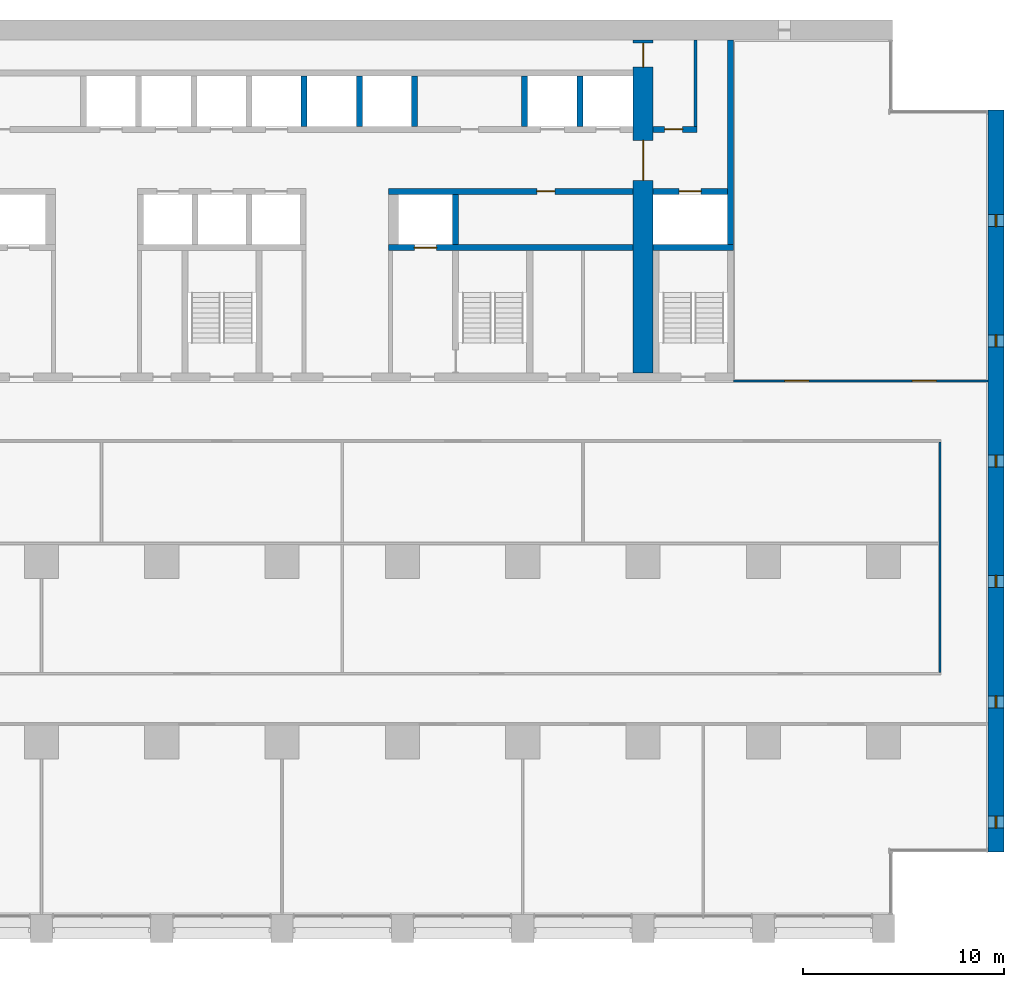
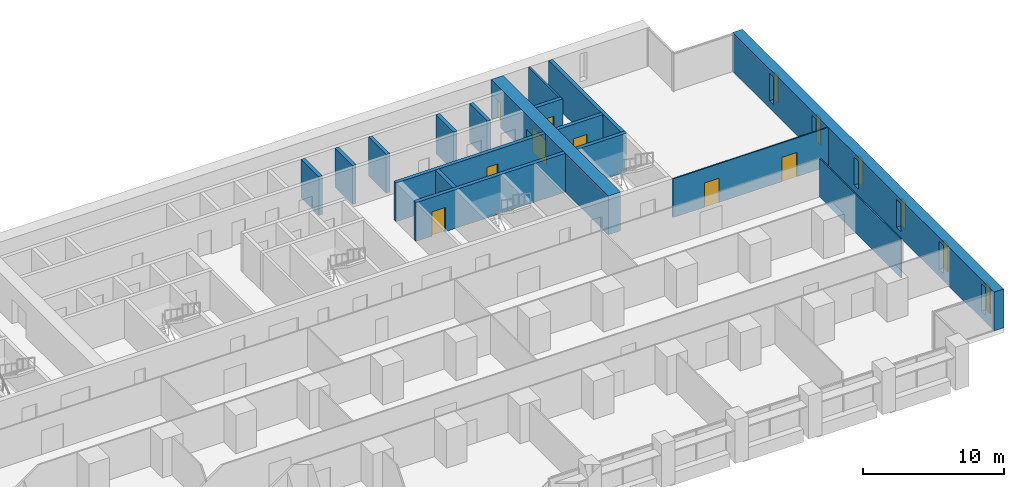
# One storey, part 13 of 18: 17 walls, 8 doors, 6 windows, 14 openings.
"""IFC4 building model written with IfcOpenShell, lengths in metres."""

from ifc_helpers import new_model, si_unit, direction, frame, frame_2d, origin, place, context, subcontext, project, spatial, rectangle, extrude, material, layer, layer_set, type_object, element, fill, save


model = new_model("IFC4")

# Units and contexts
model_context = context("Model", 3, precision=1e-05, world=origin(), true_north=direction((0.0, 1.0)))
body_context = subcontext(model_context, "Body", "Model", "MODEL_VIEW")
ifc_project = project(units=[si_unit("LENGTHUNIT", "METRE"), si_unit("AREAUNIT", "SQUARE_METRE"), si_unit("VOLUMEUNIT", "CUBIC_METRE"), si_unit("PLANEANGLEUNIT", "RADIAN"), si_unit("MASSUNIT", "GRAM", prefix="KILO")], contexts=[model_context])

# Site, building, storey
site_placement = place(None, origin())
site = spatial("IfcSite", under=ifc_project, at=site_placement, CompositionType="ELEMENT")
building_placement = place(site_placement, origin())
building = spatial("IfcBuilding", under=site, at=building_placement, Name="Calvaro Tower", CompositionType="ELEMENT")
storey_placement = place(building_placement, frame((0.0, 0.0, 52.5)))
storey = spatial("IfcBuildingStorey", under=building, at=storey_placement, Name="L12", CompositionType="ELEMENT", Elevation=52.5)

# Wall
ifc_material_1 = material(Name="Blockwork partition", Category="masonry")
ifc_layer_1 = layer(ifc_material_1, 0.14990234375)
ifc_layer_set_1 = layer_set([ifc_layer_1], Name="Blockwork partition")
wall_type_1 = type_object("IfcWallType", Name="Core partition 150 REI 120", PredefinedType="PARTITIONING", material=ifc_layer_set_1)
wall_1_placement = place(storey_placement, frame((62.625, 40.699951171875, 0.0), z_axis=(0.0, 0.0, 1.0), x_axis=(0.0, 1.0, 0.0)))
element("IfcWall", 1, at=wall_1_placement, inside=storey, type_object=wall_type_1, Name="Core partition", PredefinedType="PARTITIONING", context=body_context, shape_type="SweptSolid", body=[
    extrude(rectangle(XDim=4.300048828125, YDim=0.14990234375, at=frame_2d((2.14990234375, 0.0))), origin(), (0.0, 0.0, 1.0), 3.35009765625),
])

# Wall, opening, door
ifc_material_2 = material(Name="Blockwork partition", Category="masonry")
ifc_layer_2 = layer(ifc_material_2, 0.300048828125)
ifc_layer_set_2 = layer_set([ifc_layer_2], Name="Blockwork partition")
wall_type_2 = type_object("IfcWallType", Name="Core partition 300 REI 120", PredefinedType="PARTITIONING", material=ifc_layer_set_2)
wall_2_placement = place(storey_placement, frame((60.5, 40.550048828125, 0.0), z_axis=(0.0, 0.0, 1.0), x_axis=(1.0, 0.0, 0.0)))
wall_2 = element("IfcWall", 2, at=wall_2_placement, inside=storey, type_object=wall_type_2, Name="Core partition", PredefinedType="PARTITIONING", context=body_context, shape_type="SweptSolid", body=[
    extrude(rectangle(XDim=2.199951171875, YDim=0.300048828125, at=frame_2d((1.10009765625, 0.0))), origin(), (0.0, 0.0, 1.0), 3.35009765625),
])
opening_1_placement = place(wall_2_placement, frame((0.574951171875, 0.0, 0.0)))
opening_1 = element("IfcOpeningElement", 3, at=opening_1_placement, cuts=wall_2, Name="Opening RD9E", PredefinedType="OPENING", context=body_context, shape_type="SweptSolid", body=[
    extrude(rectangle(XDim=0.89990234375, YDim=2.10009765625, at=frame_2d((0.449951171875, 1.050048828125))), frame((0.0, 0.159912109375, 0.0), z_axis=(0.0, -1.0, 0.0), x_axis=(1.0, 0.0, 0.0)), (0.0, 0.0, 1.0), 0.320068359375),
])
ifc_material_3 = material(Name="Steel door set", Category="steel")
door_type_1 = type_object("IfcDoorType", Name="Room door 900 FD60", OperationType="SINGLE_SWING_LEFT", PredefinedType="DOOR", material=ifc_material_3)
door_1_placement = place(opening_1_placement, origin())
door_1 = element("IfcDoor", 4, at=door_1_placement, inside=storey, type_object=door_type_1, Name="Room door", OperationType="SINGLE_SWING_LEFT", OverallHeight=2.10009765625, OverallWidth=0.89990234375, PredefinedType="DOOR", context=body_context, shape_type="SweptSolid", body=[
    extrude(rectangle(XDim=0.89990234375, YDim=2.10009765625, at=frame_2d((0.449951171875, 1.050048828125))), frame((0.0, 0.02490234375, 0.0), z_axis=(0.0, -1.0, 0.0), x_axis=(1.0, 0.0, 0.0)), (0.0, 0.0, 1.0), 0.050048828125),
])
fill(opening_1, door_1)

# Wall, openings, doors
ifc_material_4 = material(Name="Concrete C80/95", Category="concrete")
ifc_layer_3 = layer(ifc_material_4, 1.0)
ifc_layer_set_3 = layer_set([ifc_layer_3], Name="Concrete C80/95")
wall_type_3 = type_object("IfcWallType", Name="Core wall C80/95 1000", PredefinedType="SHEAR", material=ifc_layer_set_3)
wall_3_placement = place(storey_placement, frame((60.0, 28.39990234375, 0.0), z_axis=(0.0, 0.0, 1.0), x_axis=(0.0, 1.0, 0.0)))
wall_3 = element("IfcWall", 5, at=wall_3_placement, inside=storey, type_object=wall_type_3, Name="Core wall, cross shear wall", PredefinedType="SHEAR", context=body_context, shape_type="SweptSolid", body=[
    extrude(rectangle(XDim=16.60009765625, YDim=1.0, at=frame_2d((8.300048828125, 0.0))), origin(), (0.0, 0.0, 1.0), 3.35009765625),
])
opening_2_placement = place(wall_3_placement, frame((9.60009765625, 0.0, 0.0)))
opening_2 = element("IfcOpeningElement", 6, at=opening_2_placement, cuts=wall_3, Name="Opening DD20D", PredefinedType="OPENING", context=body_context, shape_type="SweptSolid", body=[
    extrude(rectangle(XDim=2.0, YDim=2.10009765625, at=frame_2d((1.0, 1.050048828125))), frame((0.0, 0.510009765625, 0.0), z_axis=(0.0, -1.0, 0.0), x_axis=(1.0, 0.0, 0.0)), (0.0, 0.0, 1.0), 1.02001953125),
])
opening_3_placement = place(wall_3_placement, frame((15.25, 0.0, 0.0)))
opening_3 = element("IfcOpeningElement", 7, at=opening_3_placement, cuts=wall_3, Name="Opening FD12C", PredefinedType="OPENING", context=body_context, shape_type="SweptSolid", body=[
    extrude(rectangle(XDim=1.199951171875, YDim=2.10009765625, at=frame_2d((0.60009765625, 1.050048828125))), frame((0.0, 0.510009765625, 0.0), z_axis=(0.0, -1.0, 0.0), x_axis=(1.0, 0.0, 0.0)), (0.0, 0.0, 1.0), 1.02001953125),
])
ifc_material_5 = material(Name="Steel door set", Category="steel")
door_type_2 = type_object("IfcDoorType", Name="Fire door 1200 FD30", OperationType="SINGLE_SWING_LEFT", PredefinedType="DOOR", material=ifc_material_5)
door_2_placement = place(opening_3_placement, origin())
door_2 = element("IfcDoor", 8, at=door_2_placement, inside=storey, type_object=door_type_2, Name="Fire door", OperationType="SINGLE_SWING_LEFT", OverallHeight=2.10009765625, OverallWidth=1.199951171875, PredefinedType="DOOR", context=body_context, shape_type="SweptSolid", body=[
    extrude(rectangle(XDim=1.199951171875, YDim=2.10009765625, at=frame_2d((0.60009765625, 1.050048828125))), frame((0.0, 0.02490234375, 0.0), z_axis=(0.0, -1.0, 0.0), x_axis=(1.0, 0.0, 0.0)), (0.0, 0.0, 1.0), 0.050048828125),
])
fill(opening_3, door_2)
ifc_material_6 = material(Name="Steel door set", Category="steel")
door_type_3 = type_object("IfcDoorType", Name="Lobby double door 2000 FD30S", OperationType="DOUBLE_DOOR_SINGLE_SWING", PredefinedType="DOOR", material=ifc_material_6)
door_3_placement = place(opening_2_placement, origin())
door_3 = element("IfcDoor", 9, at=door_3_placement, inside=storey, type_object=door_type_3, Name="Lobby double door", OperationType="DOUBLE_DOOR_SINGLE_SWING", OverallHeight=2.10009765625, OverallWidth=2.0, PredefinedType="DOOR", context=body_context, shape_type="SweptSolid", body=[
    extrude(rectangle(XDim=2.0, YDim=2.10009765625, at=frame_2d((1.0, 1.050048828125))), frame((0.0, 0.02490234375, 0.0), z_axis=(0.0, -1.0, 0.0), x_axis=(1.0, 0.0, 0.0)), (0.0, 0.0, 1.0), 0.050048828125),
])
fill(opening_2, door_3)

# Wall
ifc_material_7 = material(Name="Concrete C80/95", Category="concrete")
ifc_layer_4 = layer(ifc_material_7, 0.300048828125)
ifc_layer_set_4 = layer_set([ifc_layer_4], Name="Concrete C80/95")
wall_type_4 = type_object("IfcWallType", Name="Core wall C80/95 300", PredefinedType="SHEAR", material=ifc_layer_set_4)
wall_4_placement = place(storey_placement, frame((64.35009765625, 34.800048828125, 0.0), z_axis=(0.0, 0.0, 1.0), x_axis=(0.0, 1.0, 0.0)))
element("IfcWall", 10, at=wall_4_placement, inside=storey, type_object=wall_type_4, Name="Core wall, boundary", PredefinedType="SHEAR", context=body_context, shape_type="SweptSolid", body=[
    extrude(rectangle(XDim=10.199951171875, YDim=0.300048828125, at=frame_2d((5.10009765625, 0.0))), origin(), (0.0, 0.0, 1.0), 3.35009765625),
])

# Wall, opening, door
wall_5_placement = place(storey_placement, frame((47.300048828125, 34.64990234375, 0.0), z_axis=(0.0, 0.0, 1.0), x_axis=(1.0, 0.0, 0.0)))
wall_5 = element("IfcWall", 11, at=wall_5_placement, inside=storey, type_object=wall_type_4, Name="Core wall, lift shaft", PredefinedType="SHEAR", context=body_context, shape_type="SweptSolid", body=[
    extrude(rectangle(XDim=12.199951171875, YDim=0.300048828125, at=frame_2d((6.10009765625, 0.0))), origin(), (0.0, 0.0, 1.0), 3.35009765625),
])
opening_4_placement = place(wall_5_placement, frame((1.300048828125, 0.0, 0.0)))
opening_4 = element("IfcOpeningElement", 12, at=opening_4_placement, cuts=wall_5, Name="Opening FF2", PredefinedType="OPENING", context=body_context, shape_type="SweptSolid", body=[
    extrude(rectangle(XDim=1.10009765625, YDim=2.10009765625, at=frame_2d((0.550048828125, 1.050048828125))), frame((0.0, 0.159912109375, 0.0), z_axis=(0.0, -1.0, 0.0), x_axis=(1.0, 0.0, 0.0)), (0.0, 0.0, 1.0), 0.320068359375),
])
ifc_material_8 = material(Name="Stainless steel", Category="steel")
door_type_4 = type_object("IfcDoorType", Name="Landing door 1100 E 60", OperationType="SLIDING_TO_LEFT", PredefinedType="DOOR", material=ifc_material_8)
door_4_placement = place(opening_4_placement, origin())
door_4 = element("IfcDoor", 13, at=door_4_placement, inside=storey, type_object=door_type_4, Name="Landing door FF2", OperationType="SLIDING_TO_LEFT", OverallHeight=2.10009765625, OverallWidth=1.10009765625, PredefinedType="DOOR", context=body_context, shape_type="SweptSolid", body=[
    extrude(rectangle(XDim=1.10009765625, YDim=2.10009765625, at=frame_2d((0.550048828125, 1.050048828125))), frame((0.0, 0.02490234375, 0.0), z_axis=(0.0, -1.0, 0.0), x_axis=(1.0, 0.0, 0.0)), (0.0, 0.0, 1.0), 0.050048828125),
])
fill(opening_4, door_4)

# Wall
wall_6_placement = place(storey_placement, frame((60.5, 34.64990234375, 0.0), z_axis=(0.0, 0.0, 1.0), x_axis=(1.0, 0.0, 0.0)))
element("IfcWall", 14, at=wall_6_placement, inside=storey, type_object=wall_type_4, Name="Core wall, lift shaft", PredefinedType="SHEAR", context=body_context, shape_type="SweptSolid", body=[
    extrude(rectangle(XDim=4.0, YDim=0.300048828125, at=frame_2d((2.0, 0.0))), origin(), (0.0, 0.0, 1.0), 3.35009765625),
])

# Wall, opening, door
wall_7_placement = place(storey_placement, frame((59.5, 37.449951171875, 0.0), z_axis=(0.0, 0.0, 1.0), x_axis=(-1.0, 0.0, 0.0)))
wall_7 = element("IfcWall", 15, at=wall_7_placement, inside=storey, type_object=wall_type_4, Name="Core wall, bay", PredefinedType="SHEAR", context=body_context, shape_type="SweptSolid", body=[
    extrude(rectangle(XDim=12.199951171875, YDim=0.300048828125, at=frame_2d((6.10009765625, 0.0))), origin(), (0.0, 0.0, 1.0), 3.35009765625),
])
opening_5_placement = place(wall_7_placement, frame((3.89990234375, 0.0, 0.0)))
opening_5 = element("IfcOpeningElement", 16, at=opening_5_placement, cuts=wall_7, Name="Opening RD9E", PredefinedType="OPENING", context=body_context, shape_type="SweptSolid", body=[
    extrude(rectangle(XDim=0.89990234375, YDim=2.10009765625, at=frame_2d((0.449951171875, 1.050048828125))), frame((0.0, 0.159912109375, 0.0), z_axis=(0.0, -1.0, 0.0), x_axis=(1.0, 0.0, 0.0)), (0.0, 0.0, 1.0), 0.320068359375),
])
door_5_placement = place(opening_5_placement, origin())
door_5 = element("IfcDoor", 17, at=door_5_placement, inside=storey, type_object=door_type_1, Name="Room door", OperationType="SINGLE_SWING_RIGHT", OverallHeight=2.10009765625, OverallWidth=0.89990234375, PredefinedType="DOOR", context=body_context, shape_type="SweptSolid", body=[
    extrude(rectangle(XDim=0.89990234375, YDim=2.10009765625, at=frame_2d((0.449951171875, 1.050048828125))), frame((0.0, 0.02490234375, 0.0), z_axis=(0.0, -1.0, 0.0), x_axis=(1.0, 0.0, 0.0)), (0.0, 0.0, 1.0), 0.050048828125),
])
fill(opening_5, door_5)

wall_8_placement = place(storey_placement, frame((60.5, 37.449951171875, 0.0), z_axis=(0.0, 0.0, 1.0), x_axis=(1.0, 0.0, 0.0)))
wall_8 = element("IfcWall", 18, at=wall_8_placement, inside=storey, type_object=wall_type_4, Name="Core wall, lift shaft", PredefinedType="SHEAR", context=body_context, shape_type="SweptSolid", body=[
    extrude(rectangle(XDim=3.699951171875, YDim=0.300048828125, at=frame_2d((1.85009765625, 0.0))), origin(), (0.0, 0.0, 1.0), 3.35009765625),
])
opening_6_placement = place(wall_8_placement, frame((1.300048828125, 0.0, 0.0)))
opening_6 = element("IfcOpeningElement", 19, at=opening_6_placement, cuts=wall_8, Name="Opening FF3", PredefinedType="OPENING", context=body_context, shape_type="SweptSolid", body=[
    extrude(rectangle(XDim=1.10009765625, YDim=2.10009765625, at=frame_2d((0.550048828125, 1.050048828125))), frame((0.0, 0.159912109375, 0.0), z_axis=(0.0, -1.0, 0.0), x_axis=(1.0, 0.0, 0.0)), (0.0, 0.0, 1.0), 0.320068359375),
])
door_6_placement = place(opening_6_placement, origin())
door_6 = element("IfcDoor", 20, at=door_6_placement, inside=storey, type_object=door_type_4, Name="Landing door FF3", OperationType="SLIDING_TO_LEFT", OverallHeight=2.10009765625, OverallWidth=1.10009765625, PredefinedType="DOOR", context=body_context, shape_type="SweptSolid", body=[
    extrude(rectangle(XDim=1.10009765625, YDim=2.10009765625, at=frame_2d((0.550048828125, 1.050048828125))), frame((0.0, 0.02490234375, 0.0), z_axis=(0.0, -1.0, 0.0), x_axis=(1.0, 0.0, 0.0)), (0.0, 0.0, 1.0), 0.050048828125),
])
fill(opening_6, door_6)

# Walls
for number, where, z_axis, x_axis, name in (
    (21, (50.64990234375, 34.800048828125, 0.0), (0.0, 0.0, 1.0), (0.0, 1.0, 0.0), "Core wall, lift shaft"),
    (22, (43.10009765625, 40.699951171875, 0.0), (0.0, 0.0, 1.0), (0.0, 1.0, 0.0), "Core wall, lift shaft"),
    (23, (45.85009765625, 40.699951171875, 0.0), (0.0, 0.0, 1.0), (0.0, 1.0, 0.0), "Core wall, lift shaft"),
    (24, (48.60009765625, 40.699951171875, 0.0), (0.0, 0.0, 1.0), (0.0, 1.0, 0.0), "Core wall, lift shaft"),
    (25, (54.10009765625, 40.699951171875, 0.0), (0.0, 0.0, 1.0), (0.0, 1.0, 0.0), "Core wall, lift shaft"),
    (26, (56.85009765625, 40.699951171875, 0.0), (0.0, 0.0, 1.0), (0.0, 1.0, 0.0), "Core wall, lift shaft"),
):
    element("IfcWall", number, at=place(storey_placement, frame(where, z_axis=z_axis, x_axis=x_axis)), inside=storey, type_object=wall_type_4, Name=name, PredefinedType="SHEAR", context=body_context, shape_type="SweptSolid", body=[
        extrude(rectangle(XDim=2.5, YDim=0.300048828125, at=frame_2d((1.25, 0.0))), origin(), (0.0, 0.0, 1.0), 3.35009765625),
    ])

# Wall, openings, windows
ifc_material_9 = material(Name="Concrete C80/95", Category="concrete")
ifc_layer_5 = layer(ifc_material_9, 0.800048828125)
ifc_layer_set_5 = layer_set([ifc_layer_5], Name="Concrete C80/95")
wall_type_5 = type_object("IfcWallType", Name="End wall 800 C80/95", PredefinedType="SHEAR", material=ifc_layer_set_5)
wall_9_placement = place(storey_placement, frame((77.60009765625, 4.5, 0.0), z_axis=(0.0, 0.0, 1.0), x_axis=(0.0, 1.0, 0.0)))
wall_9 = element("IfcWall", 27, at=wall_9_placement, inside=storey, type_object=wall_type_5, Name="End shear wall", PredefinedType="SHEAR", context=body_context, shape_type="SweptSolid", body=[
    extrude(rectangle(XDim=37.0, YDim=0.800048828125, at=frame_2d((18.5, 0.0))), origin(), (0.0, 0.0, 1.0), 3.35009765625),
])
opening_7_placement = place(wall_9_placement, frame((1.199951171875, 0.0, 0.60009765625)))
opening_7 = element("IfcOpeningElement", 28, at=opening_7_placement, cuts=wall_9, Name="Opening WE01", PredefinedType="OPENING", context=body_context, shape_type="SweptSolid", body=[
    extrude(rectangle(XDim=0.60009765625, YDim=2.39990234375, at=frame_2d((0.300048828125, 1.199951171875))), frame((0.0, 0.409912109375, 0.0), z_axis=(0.0, -1.0, 0.0), x_axis=(1.0, 0.0, 0.0)), (0.0, 0.0, 1.0), 0.820068359375),
])
opening_8_placement = place(wall_9_placement, frame((7.199951171875, 0.0, 0.60009765625)))
opening_8 = element("IfcOpeningElement", 29, at=opening_8_placement, cuts=wall_9, Name="Opening WE02", PredefinedType="OPENING", context=body_context, shape_type="SweptSolid", body=[
    extrude(rectangle(XDim=0.60009765625, YDim=2.39990234375, at=frame_2d((0.300048828125, 1.199951171875))), frame((0.0, 0.409912109375, 0.0), z_axis=(0.0, -1.0, 0.0), x_axis=(1.0, 0.0, 0.0)), (0.0, 0.0, 1.0), 0.820068359375),
])
opening_9_placement = place(wall_9_placement, frame((13.199951171875, 0.0, 0.60009765625)))
opening_9 = element("IfcOpeningElement", 30, at=opening_9_placement, cuts=wall_9, Name="Opening WE03", PredefinedType="OPENING", context=body_context, shape_type="SweptSolid", body=[
    extrude(rectangle(XDim=0.60009765625, YDim=2.39990234375, at=frame_2d((0.300048828125, 1.199951171875))), frame((0.0, 0.409912109375, 0.0), z_axis=(0.0, -1.0, 0.0), x_axis=(1.0, 0.0, 0.0)), (0.0, 0.0, 1.0), 0.820068359375),
])
opening_10_placement = place(wall_9_placement, frame((19.199951171875, 0.0, 0.60009765625)))
opening_10 = element("IfcOpeningElement", 31, at=opening_10_placement, cuts=wall_9, Name="Opening WE04", PredefinedType="OPENING", context=body_context, shape_type="SweptSolid", body=[
    extrude(rectangle(XDim=0.60009765625, YDim=2.39990234375, at=frame_2d((0.300048828125, 1.199951171875))), frame((0.0, 0.409912109375, 0.0), z_axis=(0.0, -1.0, 0.0), x_axis=(1.0, 0.0, 0.0)), (0.0, 0.0, 1.0), 0.820068359375),
])
opening_11_placement = place(wall_9_placement, frame((25.199951171875, 0.0, 0.60009765625)))
opening_11 = element("IfcOpeningElement", 32, at=opening_11_placement, cuts=wall_9, Name="Opening WE05", PredefinedType="OPENING", context=body_context, shape_type="SweptSolid", body=[
    extrude(rectangle(XDim=0.60009765625, YDim=2.39990234375, at=frame_2d((0.300048828125, 1.199951171875))), frame((0.0, 0.409912109375, 0.0), z_axis=(0.0, -1.0, 0.0), x_axis=(1.0, 0.0, 0.0)), (0.0, 0.0, 1.0), 0.820068359375),
])
opening_12_placement = place(wall_9_placement, frame((31.199951171875, 0.0, 0.60009765625)))
opening_12 = element("IfcOpeningElement", 33, at=opening_12_placement, cuts=wall_9, Name="Opening WE06", PredefinedType="OPENING", context=body_context, shape_type="SweptSolid", body=[
    extrude(rectangle(XDim=0.60009765625, YDim=2.39990234375, at=frame_2d((0.300048828125, 1.199951171875))), frame((0.0, 0.409912109375, 0.0), z_axis=(0.0, -1.0, 0.0), x_axis=(1.0, 0.0, 0.0)), (0.0, 0.0, 1.0), 0.820068359375),
])
ifc_material_10 = material(Name="Glass", Category="glass")
window_type = type_object("IfcWindowType", Name="Slit window 600 x 2400", PartitioningType="SINGLE_PANEL", PredefinedType="WINDOW", material=ifc_material_10)
window_1_placement = place(opening_7_placement, origin())
window_1 = element("IfcWindow", 34, at=window_1_placement, inside=storey, type_object=window_type, Name="Window WE01", OverallHeight=2.39990234375, OverallWidth=0.60009765625, PartitioningType="SINGLE_PANEL", PredefinedType="WINDOW", context=body_context, shape_type="SweptSolid", body=[
    extrude(rectangle(XDim=0.60009765625, YDim=2.39990234375, at=frame_2d((0.300048828125, 1.199951171875))), frame((0.0, 0.030029296875, 0.0), z_axis=(0.0, -1.0, 0.0), x_axis=(1.0, 0.0, 0.0)), (0.0, 0.0, 1.0), 0.06005859375),
])
fill(opening_7, window_1)
window_2_placement = place(opening_8_placement, origin())
window_2 = element("IfcWindow", 35, at=window_2_placement, inside=storey, type_object=window_type, Name="Window WE02", OverallHeight=2.39990234375, OverallWidth=0.60009765625, PartitioningType="SINGLE_PANEL", PredefinedType="WINDOW", context=body_context, shape_type="SweptSolid", body=[
    extrude(rectangle(XDim=0.60009765625, YDim=2.39990234375, at=frame_2d((0.300048828125, 1.199951171875))), frame((0.0, 0.030029296875, 0.0), z_axis=(0.0, -1.0, 0.0), x_axis=(1.0, 0.0, 0.0)), (0.0, 0.0, 1.0), 0.06005859375),
])
fill(opening_8, window_2)
window_3_placement = place(opening_9_placement, origin())
window_3 = element("IfcWindow", 36, at=window_3_placement, inside=storey, type_object=window_type, Name="Window WE03", OverallHeight=2.39990234375, OverallWidth=0.60009765625, PartitioningType="SINGLE_PANEL", PredefinedType="WINDOW", context=body_context, shape_type="SweptSolid", body=[
    extrude(rectangle(XDim=0.60009765625, YDim=2.39990234375, at=frame_2d((0.300048828125, 1.199951171875))), frame((0.0, 0.030029296875, 0.0), z_axis=(0.0, -1.0, 0.0), x_axis=(1.0, 0.0, 0.0)), (0.0, 0.0, 1.0), 0.06005859375),
])
fill(opening_9, window_3)
window_4_placement = place(opening_10_placement, origin())
window_4 = element("IfcWindow", 37, at=window_4_placement, inside=storey, type_object=window_type, Name="Window WE04", OverallHeight=2.39990234375, OverallWidth=0.60009765625, PartitioningType="SINGLE_PANEL", PredefinedType="WINDOW", context=body_context, shape_type="SweptSolid", body=[
    extrude(rectangle(XDim=0.60009765625, YDim=2.39990234375, at=frame_2d((0.300048828125, 1.199951171875))), frame((0.0, 0.030029296875, 0.0), z_axis=(0.0, -1.0, 0.0), x_axis=(1.0, 0.0, 0.0)), (0.0, 0.0, 1.0), 0.06005859375),
])
fill(opening_10, window_4)
window_5_placement = place(opening_11_placement, origin())
window_5 = element("IfcWindow", 38, at=window_5_placement, inside=storey, type_object=window_type, Name="Window WE05", OverallHeight=2.39990234375, OverallWidth=0.60009765625, PartitioningType="SINGLE_PANEL", PredefinedType="WINDOW", context=body_context, shape_type="SweptSolid", body=[
    extrude(rectangle(XDim=0.60009765625, YDim=2.39990234375, at=frame_2d((0.300048828125, 1.199951171875))), frame((0.0, 0.030029296875, 0.0), z_axis=(0.0, -1.0, 0.0), x_axis=(1.0, 0.0, 0.0)), (0.0, 0.0, 1.0), 0.06005859375),
])
fill(opening_11, window_5)
window_6_placement = place(opening_12_placement, origin())
window_6 = element("IfcWindow", 39, at=window_6_placement, inside=storey, type_object=window_type, Name="Window WE06", OverallHeight=2.39990234375, OverallWidth=0.60009765625, PartitioningType="SINGLE_PANEL", PredefinedType="WINDOW", context=body_context, shape_type="SweptSolid", body=[
    extrude(rectangle(XDim=0.60009765625, YDim=2.39990234375, at=frame_2d((0.300048828125, 1.199951171875))), frame((0.0, 0.030029296875, 0.0), z_axis=(0.0, -1.0, 0.0), x_axis=(1.0, 0.0, 0.0)), (0.0, 0.0, 1.0), 0.06005859375),
])
fill(opening_12, window_6)

# Wall, openings, doors
ifc_material_11 = material(Name="Plasterboard on steel studs", Category="steel")
ifc_layer_6 = layer(ifc_material_11, 0.10009765625)
ifc_layer_set_6 = layer_set([ifc_layer_6], Name="Plasterboard on steel studs")
wall_type_6 = type_object("IfcWallType", Name="Partition 100", PredefinedType="PARTITIONING", material=ifc_layer_set_6)
wall_10_placement = place(storey_placement, frame((64.5, 28.0, 0.0), z_axis=(0.0, 0.0, 1.0), x_axis=(1.0, 0.0, 0.0)))
wall_10 = element("IfcWall", 40, at=wall_10_placement, inside=storey, type_object=wall_type_6, Name="Partition T11.W006", PredefinedType="PARTITIONING", context=body_context, shape_type="SweptSolid", body=[
    extrude(rectangle(XDim=12.699951171875, YDim=0.10009765625, at=frame_2d((6.35009765625, 0.0))), origin(), (0.0, 0.0, 1.0), 3.35009765625),
])
opening_13_placement = place(wall_10_placement, frame((2.574951171875, 0.0, 0.0)))
opening_13 = element("IfcOpeningElement", 41, at=opening_13_placement, cuts=wall_10, Name="Opening T11.019", PredefinedType="OPENING", context=body_context, shape_type="SweptSolid", body=[
    extrude(rectangle(XDim=1.199951171875, YDim=2.10009765625, at=frame_2d((0.60009765625, 1.050048828125))), frame((0.0, 0.06005859375, 0.0), z_axis=(0.0, -1.0, 0.0), x_axis=(1.0, 0.0, 0.0)), (0.0, 0.0, 1.0), 0.1201171875),
])
opening_14_placement = place(wall_10_placement, frame((8.925048828125, 0.0, 0.0)))
opening_14 = element("IfcOpeningElement", 42, at=opening_14_placement, cuts=wall_10, Name="Opening T11.020", PredefinedType="OPENING", context=body_context, shape_type="SweptSolid", body=[
    extrude(rectangle(XDim=1.199951171875, YDim=2.10009765625, at=frame_2d((0.60009765625, 1.050048828125))), frame((0.0, 0.06005859375, 0.0), z_axis=(0.0, -1.0, 0.0), x_axis=(1.0, 0.0, 0.0)), (0.0, 0.0, 1.0), 0.1201171875),
])
ifc_material_12 = material(Name="Timber", Category="wood")
door_type_5 = type_object("IfcDoorType", Name="Internal single door 1200 x 2100", OperationType="SINGLE_SWING_LEFT", PredefinedType="DOOR", material=ifc_material_12)
door_7_placement = place(opening_13_placement, origin())
door_7 = element("IfcDoor", 43, at=door_7_placement, inside=storey, type_object=door_type_5, Name="Door T11.019", OperationType="SINGLE_SWING_LEFT", OverallHeight=2.10009765625, OverallWidth=1.199951171875, PredefinedType="DOOR", context=body_context, shape_type="SweptSolid", body=[
    extrude(rectangle(XDim=1.199951171875, YDim=2.10009765625, at=frame_2d((0.60009765625, 1.050048828125))), frame((0.0, 0.02490234375, 0.0), z_axis=(0.0, -1.0, 0.0), x_axis=(1.0, 0.0, 0.0)), (0.0, 0.0, 1.0), 0.050048828125),
])
fill(opening_13, door_7)
door_8_placement = place(opening_14_placement, origin())
door_8 = element("IfcDoor", 44, at=door_8_placement, inside=storey, type_object=door_type_5, Name="Door T11.020", OperationType="SINGLE_SWING_RIGHT", OverallHeight=2.10009765625, OverallWidth=1.199951171875, PredefinedType="DOOR", context=body_context, shape_type="SweptSolid", body=[
    extrude(rectangle(XDim=1.199951171875, YDim=2.10009765625, at=frame_2d((0.60009765625, 1.050048828125))), frame((0.0, 0.02490234375, 0.0), z_axis=(0.0, -1.0, 0.0), x_axis=(1.0, 0.0, 0.0)), (0.0, 0.0, 1.0), 0.050048828125),
])
fill(opening_14, door_8)

# Wall
wall_11_placement = place(storey_placement, frame((74.800048828125, 13.449951171875, 0.0), z_axis=(0.0, 0.0, 1.0), x_axis=(0.0, 1.0, 0.0)))
element("IfcWall", 45, at=wall_11_placement, inside=storey, type_object=wall_type_6, Name="Partition T11.W021", PredefinedType="PARTITIONING", context=body_context, shape_type="SweptSolid", body=[
    extrude(rectangle(XDim=11.5, YDim=0.10009765625, at=frame_2d((5.75, 0.0))), origin(), (0.0, 0.0, 1.0), 3.35009765625),
])

save(model, "model.ifc")
